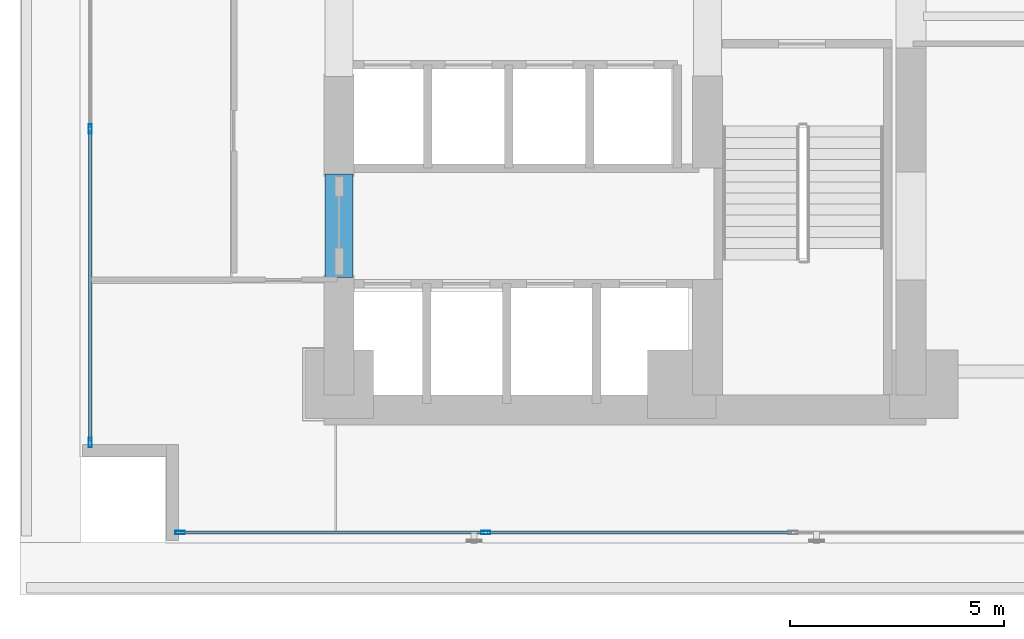
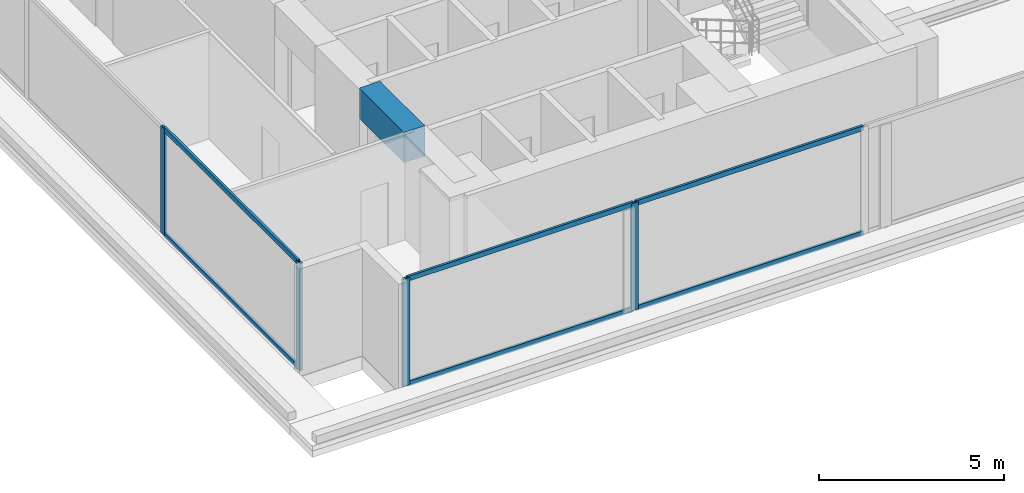
# One storey, part 2 of 29: 10 members, 1 beam, 2 elements without a shape of their own.
"""IFC4 building model written with IfcOpenShell, lengths in metres."""

from ifc_helpers import new_model, si_unit, direction, frame, origin, origin_with_axes, origin_2d, place, context, subcontext, project, spatial, rectangle, hollow_rectangle, extrude, source, transform, mapped, material, layer, layer_set, material_profile, profile_set, type_object, element, aggregate, save


model = new_model("IFC4")

# Units and contexts
model_context = context("Model", 3, precision=1e-05, world=origin(), true_north=direction((0.0, 1.0)))
body_context = subcontext(model_context, "Body", "Model", "MODEL_VIEW")
ifc_project = project(units=[si_unit("LENGTHUNIT", "METRE"), si_unit("AREAUNIT", "SQUARE_METRE"), si_unit("VOLUMEUNIT", "CUBIC_METRE"), si_unit("PLANEANGLEUNIT", "RADIAN"), si_unit("MASSUNIT", "GRAM", prefix="KILO")], contexts=[model_context])

# Site, building, storey
site_placement = place(None, origin())
site = spatial("IfcSite", under=ifc_project, at=site_placement, CompositionType="ELEMENT")
building_placement = place(site_placement, origin())
building = spatial("IfcBuilding", under=site, at=building_placement, Name="Kolvaren Waterfront Exchange", CompositionType="ELEMENT")
storey_placement = place(building_placement, frame((0.0, 0.0, 29.60009765625)))
storey = spatial("IfcBuildingStorey", under=building, at=storey_placement, Name="L07", CompositionType="ELEMENT", Elevation=29.60009765625)

# Beam
ifc_material_1 = material(Name="Concrete C60/75", Category="concrete")
ifc_material_profile_1 = material_profile(ifc_material_1, rectangle(XDim=0.64990234375, YDim=1.0, at=origin_2d()), Name="RC-CB-1000x650")
ifc_profile_set_1 = profile_set([ifc_material_profile_1], Name="Concrete C60/75")
beam_type = type_object("IfcBeamType", Name="STR-CB-1000", PredefinedType="SPANDREL", material=ifc_profile_set_1)
beam_placement = place(storey_placement, frame((7.449951171875, 7.389892578125, 3.039794921875), z_axis=(0.0, 1.0, 0.0), x_axis=(-1.0, 0.0, 0.0)))
element("IfcBeam", 1, at=beam_placement, inside=storey, type_object=beam_type, Name="L07 core coupling beam 3", PredefinedType="SPANDREL", context=body_context, shape_type="SweptSolid", body=[
    extrude(rectangle(XDim=0.64990234375, YDim=1.0, at=origin_2d()), origin(), (0.0, 0.0, 1.0), 2.420166015625),
])

# Curtain wall, members
ifc_material_2 = material(Name="Anodised bronze aluminium 6063-T6", Category="aluminium")
ifc_layer_1 = layer(ifc_material_2, 0.219970703125, Name="Anodised bronze aluminium 6063-T6")
ifc_layer_set_1 = layer_set([ifc_layer_1], Name="Anodised bronze aluminium 6063-T6")
curtain_wall_type_1 = type_object("IfcCurtainWallType", Name="ARC-CW-SYS1", PredefinedType="USERDEFINED", material=ifc_layer_set_1)
curtain_wall_1_placement = place(storey_placement, origin())
curtain_wall_1 = element("IfcCurtainWall", 2, at=curtain_wall_1_placement, inside=storey, type_object=curtain_wall_type_1, Name="L07 stick curtain wall CW1 (CW-L07-S)", ObjectType="STICK CURTAIN WALL", PredefinedType="USERDEFINED")
ifc_material_3 = material(Name="Anodised aluminium 6063-T6", Category="aluminium")
ifc_material_profile_2 = material_profile(ifc_material_3, hollow_rectangle(XDim=0.080078125, YDim=0.219970703125, WallThickness=0.0048828125, at=origin_2d()), Name="ALU-MUL-220x80x5")
ifc_profile_set_2 = profile_set([ifc_material_profile_2], Name="Anodised aluminium 6063-T6")
member_type_1 = type_object("IfcMemberType", Name="ARC-CWM-220", PredefinedType="MULLION", material=ifc_profile_set_2)
shared_shape_1 = source(origin_with_axes(), body_context, "Body", "SweptSolid", [
    extrude(hollow_rectangle(XDim=0.080078125, YDim=0.219970703125, WallThickness=0.0048828125, at=origin_2d()), origin(), (0.0, 0.0, 1.0), 3.539794921875),
])
member_1_placement = place(storey_placement, frame((3.739990234375, 1.43994140625, 0.0), z_axis=(0.0, 0.0, 1.0), x_axis=(0.0, 1.0, 0.0)))
member_1 = element("IfcMember", 3, at=member_1_placement, type_object=member_type_1, Name="CW1 mullion 1", PredefinedType="MULLION", context=body_context, shape_type="MappedRepresentation", body=[
    mapped(shared_shape_1, transform((0.0, 0.0, 0.0), x_axis=(1.0, 0.0, 0.0), y_axis=(0.0, 1.0, 0.0), z_axis=(0.0, 0.0, 1.0), scale=1.0)),
])
member_2_placement = place(storey_placement, frame((10.875, 1.43994140625, 0.0), z_axis=(0.0, 0.0, 1.0), x_axis=(0.0, 1.0, 0.0)))
member_2 = element("IfcMember", 4, at=member_2_placement, type_object=member_type_1, Name="CW1 mullion 2", PredefinedType="MULLION", context=body_context, shape_type="MappedRepresentation", body=[
    mapped(shared_shape_1, transform((0.0, 0.0, 0.0), x_axis=(1.0, 0.0, 0.0), y_axis=(0.0, 1.0, 0.0), z_axis=(0.0, 0.0, 1.0), scale=1.0)),
])

ifc_layer_2 = layer(ifc_material_3, 0.219970703125, Name="Anodised aluminium 6063-T6")
ifc_layer_set_2 = layer_set([ifc_layer_2], Name="Anodised aluminium 6063-T6")
curtain_wall_type_2 = type_object("IfcCurtainWallType", Name="ARC-CW-SYS2", PredefinedType="USERDEFINED", material=ifc_layer_set_2)
curtain_wall_2_placement = place(storey_placement, origin())
curtain_wall_2 = element("IfcCurtainWall", 5, at=curtain_wall_2_placement, inside=storey, type_object=curtain_wall_type_2, Name="L07 stick curtain wall CW2 (CW-L07-W)", ObjectType="STICK CURTAIN WALL", PredefinedType="USERDEFINED")
member_3_placement = place(storey_placement, frame((1.639892578125, 3.5400390625, 0.0), z_axis=(0.0, 0.0, 1.0), x_axis=(-1.0, 0.0, 0.0)))
member_3 = element("IfcMember", 6, at=member_3_placement, type_object=member_type_1, Name="CW2 mullion 1", PredefinedType="MULLION", context=body_context, shape_type="MappedRepresentation", body=[
    mapped(shared_shape_1, transform((0.0, 0.0, 0.0), x_axis=(1.0, 0.0, 0.0), y_axis=(0.0, 1.0, 0.0), z_axis=(0.0, 0.0, 1.0), scale=1.0)),
])
member_4_placement = place(storey_placement, frame((1.639892578125, 10.86669921875, 0.0), z_axis=(0.0, 0.0, 1.0), x_axis=(-1.0, 0.0, 0.0)))
member_4 = element("IfcMember", 7, at=member_4_placement, type_object=member_type_1, Name="CW2 mullion 2", PredefinedType="MULLION", context=body_context, shape_type="MappedRepresentation", body=[
    mapped(shared_shape_1, transform((0.0, 0.0, 0.0), x_axis=(1.0, 0.0, 0.0), y_axis=(0.0, 1.0, 0.0), z_axis=(0.0, 0.0, 1.0), scale=1.0)),
])

# Member
ifc_material_profile_3 = material_profile(ifc_material_3, hollow_rectangle(XDim=0.074951171875, YDim=0.159912109375, WallThickness=0.00439453125, at=origin_2d()), Name="ALU-TRN-160x75x4.5")
ifc_profile_set_3 = profile_set([ifc_material_profile_3], Name="Anodised aluminium 6063-T6")
member_type_2 = type_object("IfcMemberType", Name="ARC-CWT-160", PredefinedType="USERDEFINED", material=ifc_profile_set_3)
shared_shape_2 = source(origin_with_axes(), body_context, "Body", "SweptSolid", [
    extrude(hollow_rectangle(XDim=0.074951171875, YDim=0.159912109375, WallThickness=0.00439453125, at=origin_2d()), origin(), (0.0, 0.0, 1.0), 7.054931640625),
])
member_5_placement = place(storey_placement, frame((3.780029296875, 1.43994140625, 0.037353515625), z_axis=(1.0, 0.0, 0.0), x_axis=(0.0, 1.0, 0.0)))
member_5 = element("IfcMember", 8, at=member_5_placement, type_object=member_type_2, Name="CW1 transom 1.1", ObjectType="TRANSOM", PredefinedType="USERDEFINED", context=body_context, shape_type="MappedRepresentation", body=[
    mapped(shared_shape_2, transform((0.0, 0.0, 0.0), x_axis=(1.0, 0.0, 0.0), y_axis=(0.0, 1.0, 0.0), z_axis=(0.0, 0.0, 1.0), scale=1.0)),
])

member_6_placement = place(storey_placement, frame((3.780029296875, 1.43994140625, 3.50244140625), z_axis=(1.0, 0.0, 0.0), x_axis=(0.0, 1.0, 0.0)))
member_6 = element("IfcMember", 9, at=member_6_placement, type_object=member_type_2, Name="CW1 transom 1.2", ObjectType="TRANSOM", PredefinedType="USERDEFINED", context=body_context, shape_type="MappedRepresentation", body=[
    mapped(shared_shape_2, transform((0.0, 0.0, 0.0), x_axis=(1.0, 0.0, 0.0), y_axis=(0.0, 1.0, 0.0), z_axis=(0.0, 0.0, 1.0), scale=1.0)),
])

shared_shape_3 = source(origin_with_axes(), body_context, "Body", "SweptSolid", [
    extrude(hollow_rectangle(XDim=0.074951171875, YDim=0.159912109375, WallThickness=0.00439453125, at=origin_2d()), origin(), (0.0, 0.0, 1.0), 7.094970703125),
])
member_7_placement = place(storey_placement, frame((10.9150390625, 1.43994140625, 0.037353515625), z_axis=(1.0, 0.0, 0.0), x_axis=(0.0, 1.0, 0.0)))
member_7 = element("IfcMember", 10, at=member_7_placement, type_object=member_type_2, Name="CW1 transom 2.1", ObjectType="TRANSOM", PredefinedType="USERDEFINED", context=body_context, shape_type="MappedRepresentation", body=[
    mapped(shared_shape_3, transform((0.0, 0.0, 0.0), x_axis=(1.0, 0.0, 0.0), y_axis=(0.0, 1.0, 0.0), z_axis=(0.0, 0.0, 1.0), scale=1.0)),
])

member_8_placement = place(storey_placement, frame((10.9150390625, 1.43994140625, 3.50244140625), z_axis=(1.0, 0.0, 0.0), x_axis=(0.0, 1.0, 0.0)))
member_8 = element("IfcMember", 11, at=member_8_placement, type_object=member_type_2, Name="CW1 transom 2.2", ObjectType="TRANSOM", PredefinedType="USERDEFINED", context=body_context, shape_type="MappedRepresentation", body=[
    mapped(shared_shape_3, transform((0.0, 0.0, 0.0), x_axis=(1.0, 0.0, 0.0), y_axis=(0.0, 1.0, 0.0), z_axis=(0.0, 0.0, 1.0), scale=1.0)),
])

aggregate(curtain_wall_1, [member_1, member_2, member_5, member_6, member_7, member_8])

shared_shape_4 = source(origin_with_axes(), body_context, "Body", "SweptSolid", [
    extrude(hollow_rectangle(XDim=0.074951171875, YDim=0.159912109375, WallThickness=0.00439453125, at=origin_2d()), origin(), (0.0, 0.0, 1.0), 7.24658203125),
])
member_9_placement = place(storey_placement, frame((1.639892578125, 3.580078125, 0.037353515625), z_axis=(0.0, 1.0, 0.0), x_axis=(-1.0, 0.0, 0.0)))
member_9 = element("IfcMember", 12, at=member_9_placement, type_object=member_type_2, Name="CW2 transom 1.1", ObjectType="TRANSOM", PredefinedType="USERDEFINED", context=body_context, shape_type="MappedRepresentation", body=[
    mapped(shared_shape_4, transform((0.0, 0.0, 0.0), x_axis=(1.0, 0.0, 0.0), y_axis=(0.0, 1.0, 0.0), z_axis=(0.0, 0.0, 1.0), scale=1.0)),
])

member_10_placement = place(storey_placement, frame((1.639892578125, 3.580078125, 3.50244140625), z_axis=(0.0, 1.0, 0.0), x_axis=(-1.0, 0.0, 0.0)))
member_10 = element("IfcMember", 13, at=member_10_placement, type_object=member_type_2, Name="CW2 transom 1.2", ObjectType="TRANSOM", PredefinedType="USERDEFINED", context=body_context, shape_type="MappedRepresentation", body=[
    mapped(shared_shape_4, transform((0.0, 0.0, 0.0), x_axis=(1.0, 0.0, 0.0), y_axis=(0.0, 1.0, 0.0), z_axis=(0.0, 0.0, 1.0), scale=1.0)),
])

aggregate(curtain_wall_2, [member_3, member_4, member_9, member_10])

save(model, "model.ifc")
